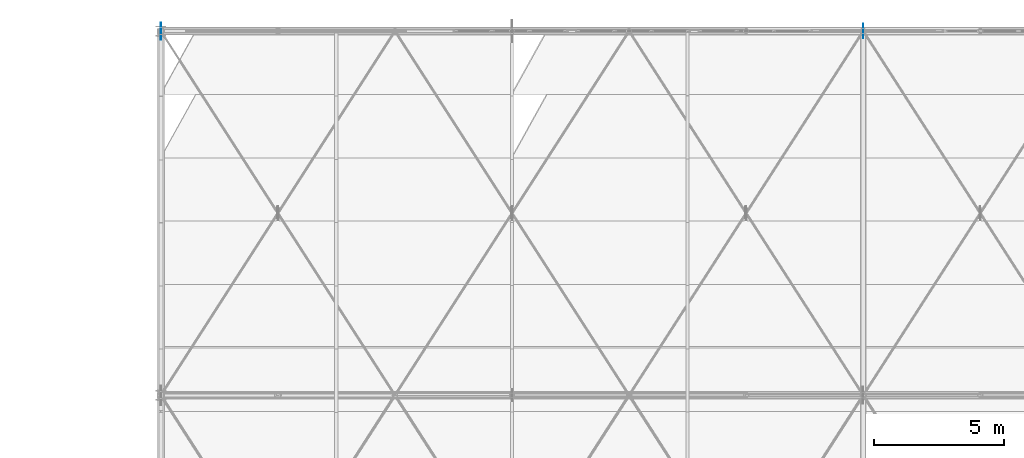
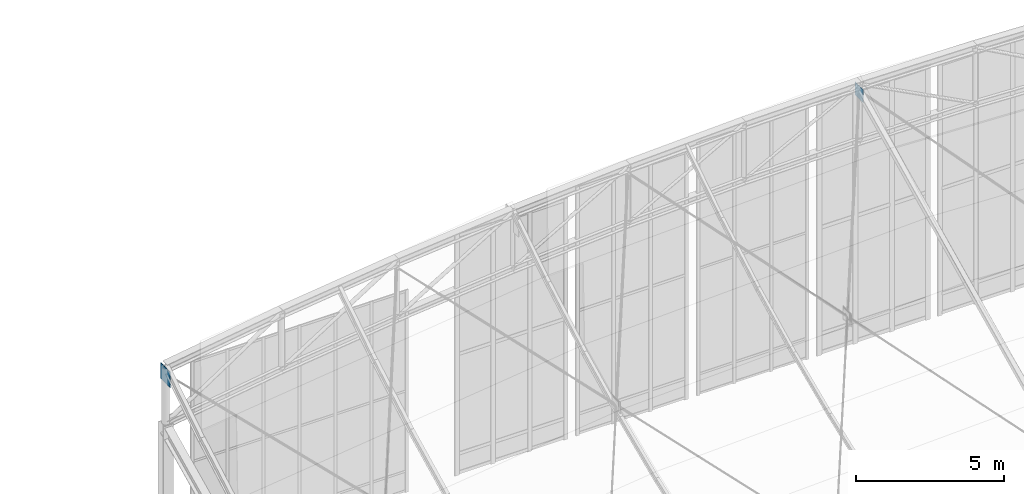
# One storey, part 260 of 262: 2 plates.
"""IFC4 building model written with IfcOpenShell, lengths in metres."""

from ifc_helpers import new_model, si_unit, derived_unit, direction, frame, origin, origin_2d, place, context, subcontext, project, spatial, rectangle, extrude, material, layer, layer_set, type_object, element, save


model = new_model("IFC4")

# Units and contexts
model_context = context("Model", 3, precision=1e-05, world=origin(), true_north=direction((0.0, 1.0)))
body_context = subcontext(model_context, "Body", "Model", "MODEL_VIEW")
ifc_project = project(units=[si_unit("LENGTHUNIT", "METRE"), si_unit("AREAUNIT", "SQUARE_METRE"), si_unit("VOLUMEUNIT", "CUBIC_METRE"), si_unit("PLANEANGLEUNIT", "RADIAN"), si_unit("MASSUNIT", "GRAM", prefix="KILO"), derived_unit("THERMALTRANSMITTANCEUNIT", [(si_unit("POWERUNIT", "WATT"), 1), (si_unit("LENGTHUNIT", "METRE"), -2), (si_unit("THERMODYNAMICTEMPERATUREUNIT", "KELVIN"), -1)])], contexts=[model_context])

# Site, building, storey
site_placement = place(None, origin())
site = spatial("IfcSite", under=ifc_project, at=site_placement, CompositionType="ELEMENT")
building_placement = place(site_placement, origin())
building = spatial("IfcBuilding", under=site, at=building_placement, Name="Almenara Railside Exhibition Hall", CompositionType="ELEMENT")
storey_placement = place(building_placement, frame((0.0, 0.0, 21.699951171875)))
storey = spatial("IfcBuildingStorey", under=building, at=storey_placement, Name="RF", CompositionType="ELEMENT", Elevation=21.699951171875)

# Plates
ifc_material = material(Name="Structural steel S355JR", Category="steel")
ifc_layer_1 = layer(ifc_material, 0.01611328125, Name="Structural steel S355JR")
ifc_layer_set_1 = layer_set([ifc_layer_1], Name="Structural steel S355JR")
plate_type_1 = type_object("IfcPlateType", Name="Truss Node Gusset Plate 16mm S355JR", PredefinedType="USERDEFINED", material=ifc_layer_set_1)
plate_1_placement = place(storey_placement, frame((165.0, 132.0, 3.27490234375), z_axis=(0.0, 0.0, 1.0), x_axis=(0.0, 1.0, 0.0)))
element("IfcPlate", 1, at=plate_1_placement, inside=storey, type_object=plate_type_1, Name="PLT-GUS-0150", ObjectType="GUSSET_PLATE", PredefinedType="USERDEFINED", context=body_context, shape_type="SweptSolid", body=[
    extrude(rectangle(XDim=0.550048828125, YDim=0.01611328125, at=origin_2d()), origin(), (0.0, 0.0, 1.0), 0.550048828125),
])
ifc_layer_2 = layer(ifc_material, 0.02001953125, Name="Structural steel S355JR")
ifc_layer_set_2 = layer_set([ifc_layer_2], Name="Structural steel S355JR")
plate_type_2 = type_object("IfcPlateType", Name="Truss Node Gusset Plate 20mm S355JR", PredefinedType="USERDEFINED", material=ifc_layer_set_2)
plate_2_placement = place(storey_placement, frame((138.0, 132.0, 1.025146484375), z_axis=(0.0, 0.0, 1.0), x_axis=(0.0, 1.0, 0.0)))
element("IfcPlate", 2, at=plate_2_placement, inside=storey, type_object=plate_type_2, Name="PLT-GUS-0148", ObjectType="GUSSET_PLATE", PredefinedType="USERDEFINED", context=body_context, shape_type="SweptSolid", body=[
    extrude(rectangle(XDim=0.64990234375, YDim=0.02001953125, at=origin_2d()), origin(), (0.0, 0.0, 1.0), 0.64990234375),
])

save(model, "model.ifc")
